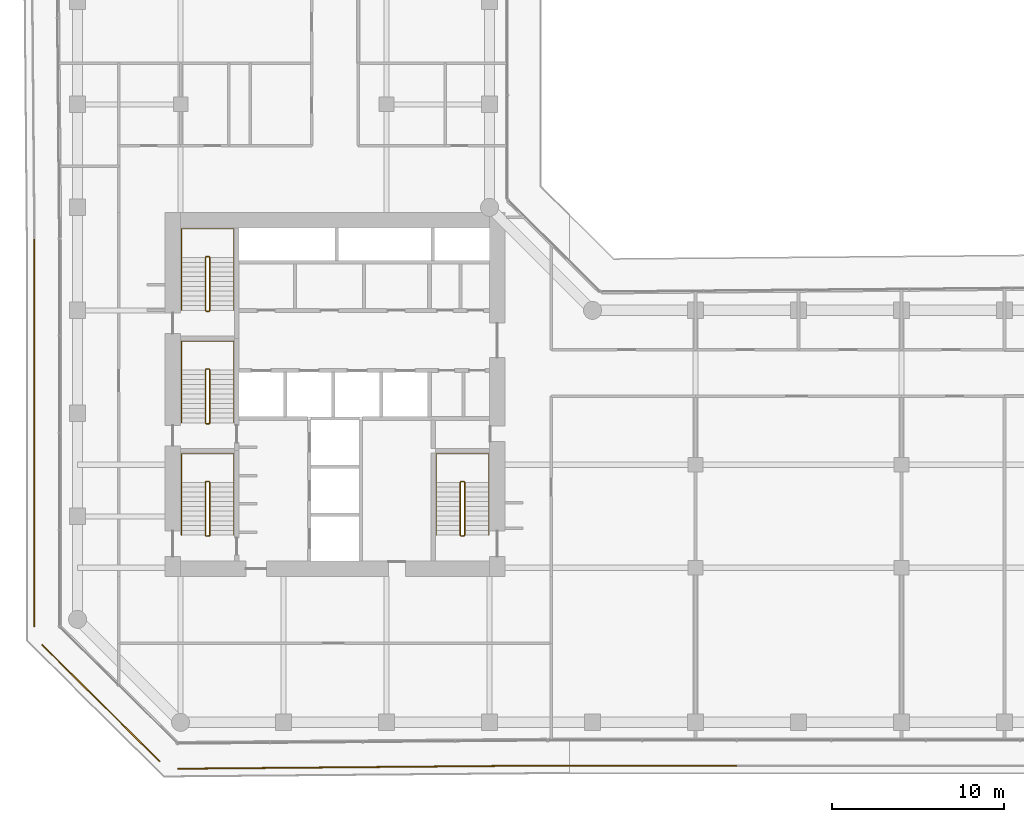
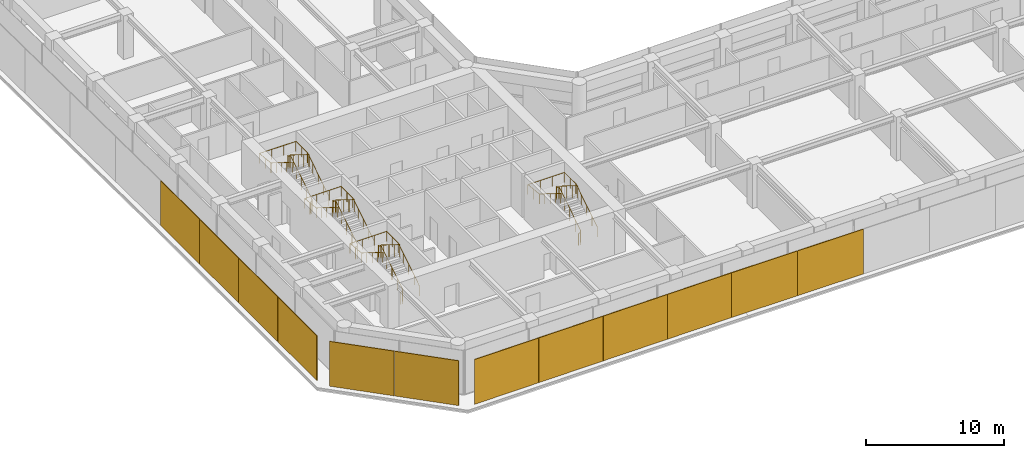
# One storey, part 27 of 28: 12 coverings, 8 railings.
"""IFC4 building model written with IfcOpenShell, lengths in metres."""

from ifc_helpers import new_model, si_unit, direction, frame, origin, origin_2d, place, context, subcontext, project, spatial, rectangle, circle, extrude, material, layer, layer_set, type_object, element, save


model = new_model("IFC4")

# Units and contexts
model_context = context("Model", 3, precision=1e-05, world=origin(), true_north=direction((0.0, 1.0)))
body_context = subcontext(model_context, "Body", "Model", "MODEL_VIEW")
ifc_project = project(units=[si_unit("LENGTHUNIT", "METRE"), si_unit("AREAUNIT", "SQUARE_METRE"), si_unit("VOLUMEUNIT", "CUBIC_METRE"), si_unit("PLANEANGLEUNIT", "RADIAN"), si_unit("MASSUNIT", "GRAM", prefix="KILO")], contexts=[model_context])

# Site, building, storey
site_placement = place(None, origin())
site = spatial("IfcSite", under=ifc_project, at=site_placement, CompositionType="ELEMENT")
building_placement = place(site_placement, origin())
building = spatial("IfcBuilding", under=site, at=building_placement, Name="Welwitschia Terrace Campus", CompositionType="ELEMENT")
storey_placement = place(building_placement, frame((0.0, 0.0, 54.199951171875)))
storey = spatial("IfcBuildingStorey", under=building, at=storey_placement, Name="L12", CompositionType="ELEMENT", Elevation=54.199951171875)

# Coverings
ifc_material_1 = material(Name="Bronze mesh aluminium screen", Category="aluminium")
ifc_layer = layer(ifc_material_1, 0.06005859375)
ifc_layer_set = layer_set([ifc_layer], Name="Bronze mesh aluminium screen")
covering_type = type_object("IfcCoveringType", Name="Bronze screen 60", PredefinedType="USERDEFINED", material=ifc_layer_set)
for number, where, z_axis, x_axis, name in (
    (1, (-2.51611328125, 21.33642578125, 0.0), (0.0, 0.0, 1.0), (0.0, -1.0, 0.0), "Screen L12.1.0"),
    (2, (-2.51611328125, 15.6865234375, 0.0), (0.0, 0.0, 1.0), (0.0, -1.0, 0.0), "Screen L12.1.1"),
    (3, (-2.51611328125, 10.03662109375, 0.0), (0.0, 0.0, 1.0), (0.0, -1.0, 0.0), "Screen L12.1.2"),
    (4, (-2.51611328125, 4.38671875, 0.0), (0.0, 0.0, 1.0), (0.0, -1.0, 0.0), "Screen L12.1.3"),
):
    element("IfcCovering", number, at=place(storey_placement, frame(where, z_axis=z_axis, x_axis=x_axis)), inside=storey, type_object=covering_type, Name=name, ObjectType="SCREEN", PredefinedType="USERDEFINED", context=body_context, shape_type="SweptSolid", body=[
        extrude(rectangle(XDim=5.6298828125, YDim=0.06005859375, at=origin_2d()), origin(), (0.0, 0.0, 1.0), 3.949951171875),
    ])
for number, where, z_axis, x_axis, name in (
    (5, (-0.364501953125, -1.176513671875, 0.0), (0.0, 0.0, 1.0), (0.710643916774, -0.703551862731, 0.0), "Screen L12.2.0"),
    (6, (3.073486328125, -4.58056640625, 0.0), (0.0, 0.0, 1.0), (0.710643916774, -0.703551862731, 0.0), "Screen L12.2.1"),
):
    element("IfcCovering", number, at=place(storey_placement, frame(where, z_axis=z_axis, x_axis=x_axis)), inside=storey, type_object=covering_type, Name=name, ObjectType="SCREEN", PredefinedType="USERDEFINED", context=body_context, shape_type="SweptSolid", body=[
        extrude(rectangle(XDim=4.818115234375, YDim=0.06005859375, at=origin_2d()), origin(), (0.0, 0.0, 1.0), 3.949951171875),
    ])
for number, where, z_axis, x_axis, name in (
    (7, (8.528564453125, -6.6806640625, 0.0), (0.0, 0.0, 1.0), (0.999961923064, 0.008726535498, 0.0), "Screen L12.3.0"),
    (8, (13.923095703125, -6.633544921875, 0.0), (0.0, 0.0, 1.0), (0.999961923064, 0.008726535498, 0.0), "Screen L12.3.1"),
    (9, (19.3173828125, -6.586669921875, 0.0), (0.0, 0.0, 1.0), (0.999961923064, 0.008726535498, 0.0), "Screen L12.3.2"),
    (10, (24.7119140625, -6.53955078125, 0.0), (0.0, 0.0, 1.0), (0.999961923064, 0.008726535498, 0.0), "Screen L12.3.3"),
):
    element("IfcCovering", number, at=place(storey_placement, frame(where, z_axis=z_axis, x_axis=x_axis)), inside=storey, type_object=covering_type, Name=name, ObjectType="SCREEN", PredefinedType="USERDEFINED", context=body_context, shape_type="SweptSolid", body=[
        extrude(rectangle(XDim=5.374755859375, YDim=0.06005859375, at=origin_2d()), origin(), (0.0, 0.0, 1.0), 3.949951171875),
    ])
for number, where, z_axis, x_axis, name in (
    (11, (30.14990234375, -6.51611328125, 0.0), (0.0, 0.0, 1.0), (1.0, 0.0, 0.0), "Screen L12.4.0"),
    (12, (35.656982421875, -6.51611328125, 0.0), (0.0, 0.0, 1.0), (1.0, 0.0, 0.0), "Screen L12.4.1"),
):
    element("IfcCovering", number, at=place(storey_placement, frame(where, z_axis=z_axis, x_axis=x_axis)), inside=storey, type_object=covering_type, Name=name, ObjectType="SCREEN", PredefinedType="USERDEFINED", context=body_context, shape_type="SweptSolid", body=[
        extrude(rectangle(XDim=5.487060546875, YDim=0.06005859375, at=origin_2d()), origin(), (0.0, 0.0, 1.0), 3.949951171875),
    ])

# Railings
ifc_material_2 = material(Name="Steel S355", Category="steel")
railing_type_1 = type_object("IfcRailingType", Name="Stair guard 1100", PredefinedType="GUARDRAIL", material=ifc_material_2)
railing_1_placement = place(storey_placement, frame((7.5, 6.85009765625, 0.0)))
element("IfcRailing", 13, at=railing_1_placement, inside=storey, type_object=railing_type_1, Name="L12 S1 stair guard", PredefinedType="GUARDRAIL", context=body_context, shape_type="SweptSolid", body=[
    extrude(circle(Radius=0.02392578125, at=origin_2d()), frame((0.0, 0.0, 1.076171875), z_axis=(1.0, 0.0, 0.0), x_axis=(0.0, 1.0, 0.0)), (0.0, 0.0, 1.0), 0.14990234375),
    extrude(circle(Radius=0.02392578125, at=origin_2d()), frame((0.14990234375, 0.0, 1.076171875), z_axis=(0.265155923931, 0.263862480399, 0.927399011991), x_axis=(-0.705375805398, 0.708833529934, 0.0)), (0.0, 0.0, 1.0), 0.188720703125),
    extrude(circle(Radius=0.02392578125, at=origin_2d()), frame((0.199951171875, 0.0498046875, 1.2509765625), z_axis=(0.0, 0.847998304005, 0.529998940003), x_axis=(-1.0, 0.0, 0.0)), (0.0, 0.0, 1.0), 3.632080078125),
    extrude(circle(Radius=0.02392578125, at=origin_2d()), frame((0.199951171875, 3.1298828125, 3.17626953125), z_axis=(-0.707106781187, 0.707106781187, 0.0), x_axis=(-0.707106781187, -0.707106781187, 0.0)), (0.0, 0.0, 1.0), 0.07080078125),
    extrude(circle(Radius=0.02392578125, at=origin_2d()), frame((0.14990234375, 3.179931640625, 3.17626953125), z_axis=(-1.0, 0.0, 0.0), x_axis=(0.0, -1.0, 0.0)), (0.0, 0.0, 1.0), 0.14990234375),
    extrude(circle(Radius=0.02392578125, at=origin_2d()), frame((0.0, 3.179931640625, 3.17626953125), z_axis=(-0.265065253269, -0.265065253269, 0.927081885822), x_axis=(0.707106781187, -0.707106781187, 0.0)), (0.0, 0.0, 1.0), 0.188720703125),
    extrude(circle(Radius=0.02392578125, at=origin_2d()), frame((-0.050048828125, 3.1298828125, 3.35107421875), z_axis=(0.0, -0.848028513186, 0.529950602248), x_axis=(1.0, 0.0, 0.0)), (0.0, 0.0, 1.0), 3.632080078125),
    extrude(circle(Radius=0.02099609375, at=origin_2d()), origin(), (0.0, 0.0, 1.0), 1.052001953125),
    extrude(circle(Radius=0.02099609375, at=origin_2d()), frame((0.14990234375, 0.0, 0.0)), (0.0, 0.0, 1.0), 1.052001953125),
    extrude(circle(Radius=0.02099609375, at=origin_2d()), frame((0.199951171875, 0.0498046875, 0.175048828125)), (0.0, 0.0, 1.0), 1.052001953125),
    extrude(circle(Radius=0.02099609375, at=origin_2d()), frame((0.199951171875, 0.81982421875, 0.65625)), (0.0, 0.0, 1.0), 1.052001953125),
    extrude(circle(Radius=0.02099609375, at=origin_2d()), frame((0.199951171875, 1.58984375, 1.1376953125)), (0.0, 0.0, 1.0), 1.052001953125),
    extrude(circle(Radius=0.02099609375, at=origin_2d()), frame((0.199951171875, 2.35986328125, 1.618896484375)), (0.0, 0.0, 1.0), 1.052001953125),
    extrude(circle(Radius=0.02099609375, at=origin_2d()), frame((0.199951171875, 3.1298828125, 2.10009765625)), (0.0, 0.0, 1.0), 1.052001953125),
    extrude(circle(Radius=0.02099609375, at=origin_2d()), frame((0.14990234375, 3.179931640625, 2.10009765625)), (0.0, 0.0, 1.0), 1.052001953125),
    extrude(circle(Radius=0.02099609375, at=origin_2d()), frame((0.0, 3.179931640625, 2.10009765625)), (0.0, 0.0, 1.0), 1.052001953125),
    extrude(circle(Radius=0.02099609375, at=origin_2d()), frame((-0.050048828125, 3.1298828125, 2.275146484375)), (0.0, 0.0, 1.0), 1.052001953125),
    extrude(circle(Radius=0.02099609375, at=origin_2d()), frame((-0.050048828125, 2.35986328125, 2.75634765625)), (0.0, 0.0, 1.0), 1.052001953125),
    extrude(circle(Radius=0.02099609375, at=origin_2d()), frame((-0.050048828125, 1.58984375, 3.237548828125)), (0.0, 0.0, 1.0), 1.052001953125),
    extrude(circle(Radius=0.02099609375, at=origin_2d()), frame((-0.050048828125, 0.81982421875, 3.71875)), (0.0, 0.0, 1.0), 1.052001953125),
    extrude(circle(Radius=0.02099609375, at=origin_2d()), frame((-0.050048828125, 0.0498046875, 4.199951171875)), (0.0, 0.0, 1.0), 1.052001953125),
])
railing_2_placement = place(storey_placement, frame((7.5, 13.39990234375, 0.0)))
element("IfcRailing", 14, at=railing_2_placement, inside=storey, type_object=railing_type_1, Name="L12 S3 stair guard", PredefinedType="GUARDRAIL", context=body_context, shape_type="SweptSolid", body=[
    extrude(circle(Radius=0.02392578125, at=origin_2d()), frame((0.0, 0.0, 1.076171875), z_axis=(1.0, 0.0, 0.0), x_axis=(0.0, 1.0, 0.0)), (0.0, 0.0, 1.0), 0.14990234375),
    extrude(circle(Radius=0.02392578125, at=origin_2d()), frame((0.14990234375, 0.0, 1.076171875), z_axis=(0.265065253269, 0.265065253269, 0.927081885822), x_axis=(-0.707106781187, 0.707106781187, 0.0)), (0.0, 0.0, 1.0), 0.188720703125),
    extrude(circle(Radius=0.02392578125, at=origin_2d()), frame((0.199951171875, 0.050048828125, 1.2509765625), z_axis=(0.0, 0.847998304005, 0.529998940003), x_axis=(-1.0, 0.0, 0.0)), (0.0, 0.0, 1.0), 3.632080078125),
    extrude(circle(Radius=0.02392578125, at=origin_2d()), frame((0.199951171875, 3.130126953125, 3.17626953125), z_axis=(-0.707106781187, 0.707106781187, 0.0), x_axis=(-0.707106781187, -0.707106781187, 0.0)), (0.0, 0.0, 1.0), 0.07080078125),
    extrude(circle(Radius=0.02392578125, at=origin_2d()), frame((0.14990234375, 3.18017578125, 3.17626953125), z_axis=(-1.0, 0.0, 0.0), x_axis=(0.0, -1.0, 0.0)), (0.0, 0.0, 1.0), 0.14990234375),
    extrude(circle(Radius=0.02392578125, at=origin_2d()), frame((0.0, 3.18017578125, 3.17626953125), z_axis=(-0.265065253269, -0.265065253269, 0.927081885822), x_axis=(0.707106781187, -0.707106781187, 0.0)), (0.0, 0.0, 1.0), 0.188720703125),
    extrude(circle(Radius=0.02392578125, at=origin_2d()), frame((-0.050048828125, 3.130126953125, 3.35107421875), z_axis=(0.0, -0.848028513186, 0.529950602248), x_axis=(1.0, 0.0, 0.0)), (0.0, 0.0, 1.0), 3.632080078125),
    extrude(circle(Radius=0.02099609375, at=origin_2d()), origin(), (0.0, 0.0, 1.0), 1.052001953125),
    extrude(circle(Radius=0.02099609375, at=origin_2d()), frame((0.14990234375, 0.0, 0.0)), (0.0, 0.0, 1.0), 1.052001953125),
    extrude(circle(Radius=0.02099609375, at=origin_2d()), frame((0.199951171875, 0.050048828125, 0.175048828125)), (0.0, 0.0, 1.0), 1.052001953125),
    extrude(circle(Radius=0.02099609375, at=origin_2d()), frame((0.199951171875, 0.820068359375, 0.65625)), (0.0, 0.0, 1.0), 1.052001953125),
    extrude(circle(Radius=0.02099609375, at=origin_2d()), frame((0.199951171875, 1.590087890625, 1.1376953125)), (0.0, 0.0, 1.0), 1.052001953125),
    extrude(circle(Radius=0.02099609375, at=origin_2d()), frame((0.199951171875, 2.360107421875, 1.618896484375)), (0.0, 0.0, 1.0), 1.052001953125),
    extrude(circle(Radius=0.02099609375, at=origin_2d()), frame((0.199951171875, 3.130126953125, 2.10009765625)), (0.0, 0.0, 1.0), 1.052001953125),
    extrude(circle(Radius=0.02099609375, at=origin_2d()), frame((0.14990234375, 3.18017578125, 2.10009765625)), (0.0, 0.0, 1.0), 1.052001953125),
    extrude(circle(Radius=0.02099609375, at=origin_2d()), frame((0.0, 3.18017578125, 2.10009765625)), (0.0, 0.0, 1.0), 1.052001953125),
    extrude(circle(Radius=0.02099609375, at=origin_2d()), frame((-0.050048828125, 3.130126953125, 2.275146484375)), (0.0, 0.0, 1.0), 1.052001953125),
    extrude(circle(Radius=0.02099609375, at=origin_2d()), frame((-0.050048828125, 2.360107421875, 2.75634765625)), (0.0, 0.0, 1.0), 1.052001953125),
    extrude(circle(Radius=0.02099609375, at=origin_2d()), frame((-0.050048828125, 1.590087890625, 3.237548828125)), (0.0, 0.0, 1.0), 1.052001953125),
    extrude(circle(Radius=0.02099609375, at=origin_2d()), frame((-0.050048828125, 0.820068359375, 3.71875)), (0.0, 0.0, 1.0), 1.052001953125),
    extrude(circle(Radius=0.02099609375, at=origin_2d()), frame((-0.050048828125, 0.050048828125, 4.199951171875)), (0.0, 0.0, 1.0), 1.052001953125),
])
railing_3_placement = place(storey_placement, frame((7.5, 19.949951171875, 0.0)))
element("IfcRailing", 15, at=railing_3_placement, inside=storey, type_object=railing_type_1, Name="L12 S4 stair guard", PredefinedType="GUARDRAIL", context=body_context, shape_type="SweptSolid", body=[
    extrude(circle(Radius=0.02392578125, at=origin_2d()), frame((0.0, 0.0, 1.076171875), z_axis=(1.0, 0.0, 0.0), x_axis=(0.0, 1.0, 0.0)), (0.0, 0.0, 1.0), 0.14990234375),
    extrude(circle(Radius=0.02392578125, at=origin_2d()), frame((0.14990234375, 0.0, 1.076171875), z_axis=(0.265065253269, 0.265065253269, 0.927081885822), x_axis=(-0.707106781187, 0.707106781187, 0.0)), (0.0, 0.0, 1.0), 0.188720703125),
    extrude(circle(Radius=0.02392578125, at=origin_2d()), frame((0.199951171875, 0.050048828125, 1.2509765625), z_axis=(0.0, 0.847998304005, 0.529998940003), x_axis=(-1.0, 0.0, 0.0)), (0.0, 0.0, 1.0), 3.632080078125),
    extrude(circle(Radius=0.02392578125, at=origin_2d()), frame((0.199951171875, 3.130126953125, 3.17626953125), z_axis=(-0.708833529934, 0.705375805398, 0.0), x_axis=(-0.705375805398, -0.708833529934, 0.0)), (0.0, 0.0, 1.0), 0.070556640625),
    extrude(circle(Radius=0.02392578125, at=origin_2d()), frame((0.14990234375, 3.179931640625, 3.17626953125), z_axis=(-1.0, 0.0, 0.0), x_axis=(0.0, -1.0, 0.0)), (0.0, 0.0, 1.0), 0.14990234375),
    extrude(circle(Radius=0.02392578125, at=origin_2d()), frame((0.0, 3.179931640625, 3.17626953125), z_axis=(-0.265155923931, -0.263862480399, 0.927399011991), x_axis=(0.705375805398, -0.708833529934, 0.0)), (0.0, 0.0, 1.0), 0.188720703125),
    extrude(circle(Radius=0.02392578125, at=origin_2d()), frame((-0.050048828125, 3.130126953125, 3.35107421875), z_axis=(0.0, -0.848028513186, 0.529950602248), x_axis=(1.0, 0.0, 0.0)), (0.0, 0.0, 1.0), 3.632080078125),
    extrude(circle(Radius=0.02099609375, at=origin_2d()), origin(), (0.0, 0.0, 1.0), 1.052001953125),
    extrude(circle(Radius=0.02099609375, at=origin_2d()), frame((0.14990234375, 0.0, 0.0)), (0.0, 0.0, 1.0), 1.052001953125),
    extrude(circle(Radius=0.02099609375, at=origin_2d()), frame((0.199951171875, 0.050048828125, 0.175048828125)), (0.0, 0.0, 1.0), 1.052001953125),
    extrude(circle(Radius=0.02099609375, at=origin_2d()), frame((0.199951171875, 0.820068359375, 0.65625)), (0.0, 0.0, 1.0), 1.052001953125),
    extrude(circle(Radius=0.02099609375, at=origin_2d()), frame((0.199951171875, 1.590087890625, 1.1376953125)), (0.0, 0.0, 1.0), 1.052001953125),
    extrude(circle(Radius=0.02099609375, at=origin_2d()), frame((0.199951171875, 2.360107421875, 1.618896484375)), (0.0, 0.0, 1.0), 1.052001953125),
    extrude(circle(Radius=0.02099609375, at=origin_2d()), frame((0.199951171875, 3.130126953125, 2.10009765625)), (0.0, 0.0, 1.0), 1.052001953125),
    extrude(circle(Radius=0.02099609375, at=origin_2d()), frame((0.14990234375, 3.179931640625, 2.10009765625)), (0.0, 0.0, 1.0), 1.052001953125),
    extrude(circle(Radius=0.02099609375, at=origin_2d()), frame((0.0, 3.179931640625, 2.10009765625)), (0.0, 0.0, 1.0), 1.052001953125),
    extrude(circle(Radius=0.02099609375, at=origin_2d()), frame((-0.050048828125, 3.130126953125, 2.275146484375)), (0.0, 0.0, 1.0), 1.052001953125),
    extrude(circle(Radius=0.02099609375, at=origin_2d()), frame((-0.050048828125, 2.360107421875, 2.75634765625)), (0.0, 0.0, 1.0), 1.052001953125),
    extrude(circle(Radius=0.02099609375, at=origin_2d()), frame((-0.050048828125, 1.590087890625, 3.237548828125)), (0.0, 0.0, 1.0), 1.052001953125),
    extrude(circle(Radius=0.02099609375, at=origin_2d()), frame((-0.050048828125, 0.820068359375, 3.71875)), (0.0, 0.0, 1.0), 1.052001953125),
    extrude(circle(Radius=0.02099609375, at=origin_2d()), frame((-0.050048828125, 0.050048828125, 4.199951171875)), (0.0, 0.0, 1.0), 1.052001953125),
])
railing_4_placement = place(storey_placement, frame((22.35009765625, 6.85009765625, 0.0)))
element("IfcRailing", 16, at=railing_4_placement, inside=storey, type_object=railing_type_1, Name="L12 S2 stair guard", PredefinedType="GUARDRAIL", context=body_context, shape_type="SweptSolid", body=[
    extrude(circle(Radius=0.02392578125, at=origin_2d()), frame((0.0, 0.0, 1.076171875), z_axis=(1.0, 0.0, 0.0), x_axis=(0.0, 1.0, 0.0)), (0.0, 0.0, 1.0), 0.14990234375),
    extrude(circle(Radius=0.02392578125, at=origin_2d()), frame((0.14990234375, 0.0, 1.076171875), z_axis=(0.265155923931, 0.263862480399, 0.927399011991), x_axis=(-0.705375805398, 0.708833529934, 0.0)), (0.0, 0.0, 1.0), 0.188720703125),
    extrude(circle(Radius=0.02392578125, at=origin_2d()), frame((0.199951171875, 0.0498046875, 1.2509765625), z_axis=(0.0, 0.847998304005, 0.529998940003), x_axis=(-1.0, 0.0, 0.0)), (0.0, 0.0, 1.0), 3.632080078125),
    extrude(circle(Radius=0.02392578125, at=origin_2d()), frame((0.199951171875, 3.1298828125, 3.17626953125), z_axis=(-0.707106781187, 0.707106781187, 0.0), x_axis=(-0.707106781187, -0.707106781187, 0.0)), (0.0, 0.0, 1.0), 0.07080078125),
    extrude(circle(Radius=0.02392578125, at=origin_2d()), frame((0.14990234375, 3.179931640625, 3.17626953125), z_axis=(-1.0, 0.0, 0.0), x_axis=(0.0, -1.0, 0.0)), (0.0, 0.0, 1.0), 0.14990234375),
    extrude(circle(Radius=0.02392578125, at=origin_2d()), frame((0.0, 3.179931640625, 3.17626953125), z_axis=(-0.265065253269, -0.265065253269, 0.927081885822), x_axis=(0.707106781187, -0.707106781187, 0.0)), (0.0, 0.0, 1.0), 0.188720703125),
    extrude(circle(Radius=0.02392578125, at=origin_2d()), frame((-0.050048828125, 3.1298828125, 3.35107421875), z_axis=(0.0, -0.848028513186, 0.529950602248), x_axis=(1.0, 0.0, 0.0)), (0.0, 0.0, 1.0), 3.632080078125),
    extrude(circle(Radius=0.02099609375, at=origin_2d()), origin(), (0.0, 0.0, 1.0), 1.052001953125),
    extrude(circle(Radius=0.02099609375, at=origin_2d()), frame((0.14990234375, 0.0, 0.0)), (0.0, 0.0, 1.0), 1.052001953125),
    extrude(circle(Radius=0.02099609375, at=origin_2d()), frame((0.199951171875, 0.0498046875, 0.175048828125)), (0.0, 0.0, 1.0), 1.052001953125),
    extrude(circle(Radius=0.02099609375, at=origin_2d()), frame((0.199951171875, 0.81982421875, 0.65625)), (0.0, 0.0, 1.0), 1.052001953125),
    extrude(circle(Radius=0.02099609375, at=origin_2d()), frame((0.199951171875, 1.58984375, 1.1376953125)), (0.0, 0.0, 1.0), 1.052001953125),
    extrude(circle(Radius=0.02099609375, at=origin_2d()), frame((0.199951171875, 2.35986328125, 1.618896484375)), (0.0, 0.0, 1.0), 1.052001953125),
    extrude(circle(Radius=0.02099609375, at=origin_2d()), frame((0.199951171875, 3.1298828125, 2.10009765625)), (0.0, 0.0, 1.0), 1.052001953125),
    extrude(circle(Radius=0.02099609375, at=origin_2d()), frame((0.14990234375, 3.179931640625, 2.10009765625)), (0.0, 0.0, 1.0), 1.052001953125),
    extrude(circle(Radius=0.02099609375, at=origin_2d()), frame((0.0, 3.179931640625, 2.10009765625)), (0.0, 0.0, 1.0), 1.052001953125),
    extrude(circle(Radius=0.02099609375, at=origin_2d()), frame((-0.050048828125, 3.1298828125, 2.275146484375)), (0.0, 0.0, 1.0), 1.052001953125),
    extrude(circle(Radius=0.02099609375, at=origin_2d()), frame((-0.050048828125, 2.35986328125, 2.75634765625)), (0.0, 0.0, 1.0), 1.052001953125),
    extrude(circle(Radius=0.02099609375, at=origin_2d()), frame((-0.050048828125, 1.58984375, 3.237548828125)), (0.0, 0.0, 1.0), 1.052001953125),
    extrude(circle(Radius=0.02099609375, at=origin_2d()), frame((-0.050048828125, 0.81982421875, 3.71875)), (0.0, 0.0, 1.0), 1.052001953125),
    extrude(circle(Radius=0.02099609375, at=origin_2d()), frame((-0.050048828125, 0.0498046875, 4.199951171875)), (0.0, 0.0, 1.0), 1.052001953125),
])
ifc_material_3 = material(Name="Steel S355", Category="steel")
railing_type_2 = type_object("IfcRailingType", Name="Stair handrail 900", PredefinedType="HANDRAIL", material=ifc_material_3)
railing_5_placement = place(storey_placement, frame((9.10009765625, 6.89990234375, 0.175048828125)))
element("IfcRailing", 17, at=railing_5_placement, inside=storey, type_object=railing_type_2, Name="L12 S1 stair handrail", PredefinedType="HANDRAIL", context=body_context, shape_type="SweptSolid", body=[
    extrude(circle(Radius=0.02392578125, at=origin_2d()), frame((0.0, 0.0, 0.8759765625), z_axis=(0.0, 0.847998304005, 0.529998940003), x_axis=(-1.0, 0.0, 0.0)), (0.0, 0.0, 1.0), 3.632080078125),
    extrude(circle(Radius=0.02392578125, at=origin_2d()), frame((0.0, 3.080078125, 2.80078125), z_axis=(0.0, 1.0, 0.0), x_axis=(-1.0, 0.0, 0.0)), (0.0, 0.0, 1.0), 1.669921875),
    extrude(circle(Radius=0.02392578125, at=origin_2d()), frame((0.0, 4.75, 2.80078125), z_axis=(-1.0, 0.0, 0.0), x_axis=(0.0, -1.0, 0.0)), (0.0, 0.0, 1.0), 3.050048828125),
    extrude(circle(Radius=0.02392578125, at=origin_2d()), frame((-3.050048828125, 4.75, 2.80078125), z_axis=(0.0, -0.99455077262, 0.104253348533), x_axis=(1.0, 0.0, 0.0)), (0.0, 0.0, 1.0), 1.678955078125),
    extrude(circle(Radius=0.02392578125, at=origin_2d()), frame((-3.050048828125, 3.080078125, 2.97607421875), z_axis=(0.0, -0.848028513186, 0.529950602248), x_axis=(1.0, 0.0, 0.0)), (0.0, 0.0, 1.0), 3.632080078125),
    extrude(circle(Radius=0.02099609375, at=origin_2d()), origin(), (0.0, 0.0, 1.0), 0.851806640625),
    extrude(circle(Radius=0.02099609375, at=origin_2d()), frame((0.0, 0.77001953125, 0.481201171875)), (0.0, 0.0, 1.0), 0.851806640625),
    extrude(circle(Radius=0.02099609375, at=origin_2d()), frame((0.0, 1.5400390625, 0.96240234375)), (0.0, 0.0, 1.0), 0.851806640625),
    extrude(circle(Radius=0.02099609375, at=origin_2d()), frame((0.0, 2.31005859375, 1.44384765625)), (0.0, 0.0, 1.0), 0.851806640625),
    extrude(circle(Radius=0.02099609375, at=origin_2d()), frame((0.0, 3.080078125, 1.925048828125)), (0.0, 0.0, 1.0), 0.851806640625),
    extrude(circle(Radius=0.02099609375, at=origin_2d()), frame((0.0, 3.9150390625, 1.925048828125)), (0.0, 0.0, 1.0), 0.851806640625),
    extrude(circle(Radius=0.02099609375, at=origin_2d()), frame((0.0, 4.75, 1.925048828125)), (0.0, 0.0, 1.0), 0.851806640625),
    extrude(circle(Radius=0.02099609375, at=origin_2d()), frame((-1.0166015625, 4.75, 1.925048828125)), (0.0, 0.0, 1.0), 0.851806640625),
    extrude(circle(Radius=0.02099609375, at=origin_2d()), frame((-2.033447265625, 4.75, 1.925048828125)), (0.0, 0.0, 1.0), 0.851806640625),
    extrude(circle(Radius=0.02099609375, at=origin_2d()), frame((-3.050048828125, 4.75, 1.925048828125)), (0.0, 0.0, 1.0), 0.851806640625),
    extrude(circle(Radius=0.02099609375, at=origin_2d()), frame((-3.050048828125, 3.9150390625, 2.0126953125)), (0.0, 0.0, 1.0), 0.851806640625),
    extrude(circle(Radius=0.02099609375, at=origin_2d()), frame((-3.050048828125, 3.080078125, 2.10009765625)), (0.0, 0.0, 1.0), 0.851806640625),
    extrude(circle(Radius=0.02099609375, at=origin_2d()), frame((-3.050048828125, 2.31005859375, 2.581298828125)), (0.0, 0.0, 1.0), 0.851806640625),
    extrude(circle(Radius=0.02099609375, at=origin_2d()), frame((-3.050048828125, 1.5400390625, 3.0625)), (0.0, 0.0, 1.0), 0.851806640625),
    extrude(circle(Radius=0.02099609375, at=origin_2d()), frame((-3.050048828125, 0.77001953125, 3.543701171875)), (0.0, 0.0, 1.0), 0.851806640625),
    extrude(circle(Radius=0.02099609375, at=origin_2d()), frame((-3.050048828125, 0.0, 4.02490234375)), (0.0, 0.0, 1.0), 0.851806640625),
])
railing_6_placement = place(storey_placement, frame((9.10009765625, 13.449951171875, 0.175048828125)))
element("IfcRailing", 18, at=railing_6_placement, inside=storey, type_object=railing_type_2, Name="L12 S3 stair handrail", PredefinedType="HANDRAIL", context=body_context, shape_type="SweptSolid", body=[
    extrude(circle(Radius=0.02392578125, at=origin_2d()), frame((0.0, 0.0, 0.8759765625), z_axis=(0.0, 0.847998304005, 0.529998940003), x_axis=(-1.0, 0.0, 0.0)), (0.0, 0.0, 1.0), 3.632080078125),
    extrude(circle(Radius=0.02392578125, at=origin_2d()), frame((0.0, 3.080078125, 2.80078125), z_axis=(0.0, 1.0, 0.0), x_axis=(-1.0, 0.0, 0.0)), (0.0, 0.0, 1.0), 1.669921875),
    extrude(circle(Radius=0.02392578125, at=origin_2d()), frame((0.0, 4.75, 2.80078125), z_axis=(-1.0, 0.0, 0.0), x_axis=(0.0, -1.0, 0.0)), (0.0, 0.0, 1.0), 3.050048828125),
    extrude(circle(Radius=0.02392578125, at=origin_2d()), frame((-3.050048828125, 4.75, 2.80078125), z_axis=(0.0, -0.99455077262, 0.104253348533), x_axis=(1.0, 0.0, 0.0)), (0.0, 0.0, 1.0), 1.678955078125),
    extrude(circle(Radius=0.02392578125, at=origin_2d()), frame((-3.050048828125, 3.080078125, 2.97607421875), z_axis=(0.0, -0.848028513186, 0.529950602248), x_axis=(1.0, 0.0, 0.0)), (0.0, 0.0, 1.0), 3.632080078125),
    extrude(circle(Radius=0.02099609375, at=origin_2d()), origin(), (0.0, 0.0, 1.0), 0.851806640625),
    extrude(circle(Radius=0.02099609375, at=origin_2d()), frame((0.0, 0.77001953125, 0.481201171875)), (0.0, 0.0, 1.0), 0.851806640625),
    extrude(circle(Radius=0.02099609375, at=origin_2d()), frame((0.0, 1.5400390625, 0.96240234375)), (0.0, 0.0, 1.0), 0.851806640625),
    extrude(circle(Radius=0.02099609375, at=origin_2d()), frame((0.0, 2.31005859375, 1.44384765625)), (0.0, 0.0, 1.0), 0.851806640625),
    extrude(circle(Radius=0.02099609375, at=origin_2d()), frame((0.0, 3.080078125, 1.925048828125)), (0.0, 0.0, 1.0), 0.851806640625),
    extrude(circle(Radius=0.02099609375, at=origin_2d()), frame((0.0, 3.9150390625, 1.925048828125)), (0.0, 0.0, 1.0), 0.851806640625),
    extrude(circle(Radius=0.02099609375, at=origin_2d()), frame((0.0, 4.75, 1.925048828125)), (0.0, 0.0, 1.0), 0.851806640625),
    extrude(circle(Radius=0.02099609375, at=origin_2d()), frame((-1.0166015625, 4.75, 1.925048828125)), (0.0, 0.0, 1.0), 0.851806640625),
    extrude(circle(Radius=0.02099609375, at=origin_2d()), frame((-2.033447265625, 4.75, 1.925048828125)), (0.0, 0.0, 1.0), 0.851806640625),
    extrude(circle(Radius=0.02099609375, at=origin_2d()), frame((-3.050048828125, 4.75, 1.925048828125)), (0.0, 0.0, 1.0), 0.851806640625),
    extrude(circle(Radius=0.02099609375, at=origin_2d()), frame((-3.050048828125, 3.9150390625, 2.0126953125)), (0.0, 0.0, 1.0), 0.851806640625),
    extrude(circle(Radius=0.02099609375, at=origin_2d()), frame((-3.050048828125, 3.080078125, 2.10009765625)), (0.0, 0.0, 1.0), 0.851806640625),
    extrude(circle(Radius=0.02099609375, at=origin_2d()), frame((-3.050048828125, 2.31005859375, 2.581298828125)), (0.0, 0.0, 1.0), 0.851806640625),
    extrude(circle(Radius=0.02099609375, at=origin_2d()), frame((-3.050048828125, 1.5400390625, 3.0625)), (0.0, 0.0, 1.0), 0.851806640625),
    extrude(circle(Radius=0.02099609375, at=origin_2d()), frame((-3.050048828125, 0.77001953125, 3.543701171875)), (0.0, 0.0, 1.0), 0.851806640625),
    extrude(circle(Radius=0.02099609375, at=origin_2d()), frame((-3.050048828125, 0.0, 4.02490234375)), (0.0, 0.0, 1.0), 0.851806640625),
])
railing_7_placement = place(storey_placement, frame((9.10009765625, 20.0, 0.175048828125)))
element("IfcRailing", 19, at=railing_7_placement, inside=storey, type_object=railing_type_2, Name="L12 S4 stair handrail", PredefinedType="HANDRAIL", context=body_context, shape_type="SweptSolid", body=[
    extrude(circle(Radius=0.02392578125, at=origin_2d()), frame((0.0, 0.0, 0.8759765625), z_axis=(0.0, 0.847998304005, 0.529998940003), x_axis=(-1.0, 0.0, 0.0)), (0.0, 0.0, 1.0), 3.632080078125),
    extrude(circle(Radius=0.02392578125, at=origin_2d()), frame((0.0, 3.080078125, 2.80078125), z_axis=(0.0, 1.0, 0.0), x_axis=(-1.0, 0.0, 0.0)), (0.0, 0.0, 1.0), 1.669921875),
    extrude(circle(Radius=0.02392578125, at=origin_2d()), frame((0.0, 4.75, 2.80078125), z_axis=(-1.0, 0.0, 0.0), x_axis=(0.0, -1.0, 0.0)), (0.0, 0.0, 1.0), 3.050048828125),
    extrude(circle(Radius=0.02392578125, at=origin_2d()), frame((-3.050048828125, 4.75, 2.80078125), z_axis=(0.0, -0.99455077262, 0.104253348533), x_axis=(1.0, 0.0, 0.0)), (0.0, 0.0, 1.0), 1.678955078125),
    extrude(circle(Radius=0.02392578125, at=origin_2d()), frame((-3.050048828125, 3.080078125, 2.97607421875), z_axis=(0.0, -0.848028513186, 0.529950602248), x_axis=(1.0, 0.0, 0.0)), (0.0, 0.0, 1.0), 3.632080078125),
    extrude(circle(Radius=0.02099609375, at=origin_2d()), origin(), (0.0, 0.0, 1.0), 0.851806640625),
    extrude(circle(Radius=0.02099609375, at=origin_2d()), frame((0.0, 0.77001953125, 0.481201171875)), (0.0, 0.0, 1.0), 0.851806640625),
    extrude(circle(Radius=0.02099609375, at=origin_2d()), frame((0.0, 1.5400390625, 0.96240234375)), (0.0, 0.0, 1.0), 0.851806640625),
    extrude(circle(Radius=0.02099609375, at=origin_2d()), frame((0.0, 2.31005859375, 1.44384765625)), (0.0, 0.0, 1.0), 0.851806640625),
    extrude(circle(Radius=0.02099609375, at=origin_2d()), frame((0.0, 3.080078125, 1.925048828125)), (0.0, 0.0, 1.0), 0.851806640625),
    extrude(circle(Radius=0.02099609375, at=origin_2d()), frame((0.0, 3.9150390625, 1.925048828125)), (0.0, 0.0, 1.0), 0.851806640625),
    extrude(circle(Radius=0.02099609375, at=origin_2d()), frame((0.0, 4.75, 1.925048828125)), (0.0, 0.0, 1.0), 0.851806640625),
    extrude(circle(Radius=0.02099609375, at=origin_2d()), frame((-1.0166015625, 4.75, 1.925048828125)), (0.0, 0.0, 1.0), 0.851806640625),
    extrude(circle(Radius=0.02099609375, at=origin_2d()), frame((-2.033447265625, 4.75, 1.925048828125)), (0.0, 0.0, 1.0), 0.851806640625),
    extrude(circle(Radius=0.02099609375, at=origin_2d()), frame((-3.050048828125, 4.75, 1.925048828125)), (0.0, 0.0, 1.0), 0.851806640625),
    extrude(circle(Radius=0.02099609375, at=origin_2d()), frame((-3.050048828125, 3.9150390625, 2.0126953125)), (0.0, 0.0, 1.0), 0.851806640625),
    extrude(circle(Radius=0.02099609375, at=origin_2d()), frame((-3.050048828125, 3.080078125, 2.10009765625)), (0.0, 0.0, 1.0), 0.851806640625),
    extrude(circle(Radius=0.02099609375, at=origin_2d()), frame((-3.050048828125, 2.31005859375, 2.581298828125)), (0.0, 0.0, 1.0), 0.851806640625),
    extrude(circle(Radius=0.02099609375, at=origin_2d()), frame((-3.050048828125, 1.5400390625, 3.0625)), (0.0, 0.0, 1.0), 0.851806640625),
    extrude(circle(Radius=0.02099609375, at=origin_2d()), frame((-3.050048828125, 0.77001953125, 3.543701171875)), (0.0, 0.0, 1.0), 0.851806640625),
    extrude(circle(Radius=0.02099609375, at=origin_2d()), frame((-3.050048828125, 0.0, 4.02490234375)), (0.0, 0.0, 1.0), 0.851806640625),
])
railing_8_placement = place(storey_placement, frame((23.949951171875, 6.89990234375, 0.175048828125)))
element("IfcRailing", 20, at=railing_8_placement, inside=storey, type_object=railing_type_2, Name="L12 S2 stair handrail", PredefinedType="HANDRAIL", context=body_context, shape_type="SweptSolid", body=[
    extrude(circle(Radius=0.02392578125, at=origin_2d()), frame((0.0, 0.0, 0.8759765625), z_axis=(0.0, 0.847998304005, 0.529998940003), x_axis=(-1.0, 0.0, 0.0)), (0.0, 0.0, 1.0), 3.632080078125),
    extrude(circle(Radius=0.02392578125, at=origin_2d()), frame((0.0, 3.080078125, 2.80078125), z_axis=(0.0, 1.0, 0.0), x_axis=(-1.0, 0.0, 0.0)), (0.0, 0.0, 1.0), 1.669921875),
    extrude(circle(Radius=0.02392578125, at=origin_2d()), frame((0.0, 4.75, 2.80078125), z_axis=(-1.0, 0.0, 0.0), x_axis=(0.0, -1.0, 0.0)), (0.0, 0.0, 1.0), 3.050048828125),
    extrude(circle(Radius=0.02392578125, at=origin_2d()), frame((-3.050048828125, 4.75, 2.80078125), z_axis=(0.0, -0.99455077262, 0.104253348533), x_axis=(1.0, 0.0, 0.0)), (0.0, 0.0, 1.0), 1.678955078125),
    extrude(circle(Radius=0.02392578125, at=origin_2d()), frame((-3.050048828125, 3.080078125, 2.97607421875), z_axis=(0.0, -0.848028513186, 0.529950602248), x_axis=(1.0, 0.0, 0.0)), (0.0, 0.0, 1.0), 3.632080078125),
    extrude(circle(Radius=0.02099609375, at=origin_2d()), origin(), (0.0, 0.0, 1.0), 0.851806640625),
    extrude(circle(Radius=0.02099609375, at=origin_2d()), frame((0.0, 0.77001953125, 0.481201171875)), (0.0, 0.0, 1.0), 0.851806640625),
    extrude(circle(Radius=0.02099609375, at=origin_2d()), frame((0.0, 1.5400390625, 0.96240234375)), (0.0, 0.0, 1.0), 0.851806640625),
    extrude(circle(Radius=0.02099609375, at=origin_2d()), frame((0.0, 2.31005859375, 1.44384765625)), (0.0, 0.0, 1.0), 0.851806640625),
    extrude(circle(Radius=0.02099609375, at=origin_2d()), frame((0.0, 3.080078125, 1.925048828125)), (0.0, 0.0, 1.0), 0.851806640625),
    extrude(circle(Radius=0.02099609375, at=origin_2d()), frame((0.0, 3.9150390625, 1.925048828125)), (0.0, 0.0, 1.0), 0.851806640625),
    extrude(circle(Radius=0.02099609375, at=origin_2d()), frame((0.0, 4.75, 1.925048828125)), (0.0, 0.0, 1.0), 0.851806640625),
    extrude(circle(Radius=0.02099609375, at=origin_2d()), frame((-1.0166015625, 4.75, 1.925048828125)), (0.0, 0.0, 1.0), 0.851806640625),
    extrude(circle(Radius=0.02099609375, at=origin_2d()), frame((-2.033447265625, 4.75, 1.925048828125)), (0.0, 0.0, 1.0), 0.851806640625),
    extrude(circle(Radius=0.02099609375, at=origin_2d()), frame((-3.050048828125, 4.75, 1.925048828125)), (0.0, 0.0, 1.0), 0.851806640625),
    extrude(circle(Radius=0.02099609375, at=origin_2d()), frame((-3.050048828125, 3.9150390625, 2.0126953125)), (0.0, 0.0, 1.0), 0.851806640625),
    extrude(circle(Radius=0.02099609375, at=origin_2d()), frame((-3.050048828125, 3.080078125, 2.10009765625)), (0.0, 0.0, 1.0), 0.851806640625),
    extrude(circle(Radius=0.02099609375, at=origin_2d()), frame((-3.050048828125, 2.31005859375, 2.581298828125)), (0.0, 0.0, 1.0), 0.851806640625),
    extrude(circle(Radius=0.02099609375, at=origin_2d()), frame((-3.050048828125, 1.5400390625, 3.0625)), (0.0, 0.0, 1.0), 0.851806640625),
    extrude(circle(Radius=0.02099609375, at=origin_2d()), frame((-3.050048828125, 0.77001953125, 3.543701171875)), (0.0, 0.0, 1.0), 0.851806640625),
    extrude(circle(Radius=0.02099609375, at=origin_2d()), frame((-3.050048828125, 0.0, 4.02490234375)), (0.0, 0.0, 1.0), 0.851806640625),
])

save(model, "model.ifc")
